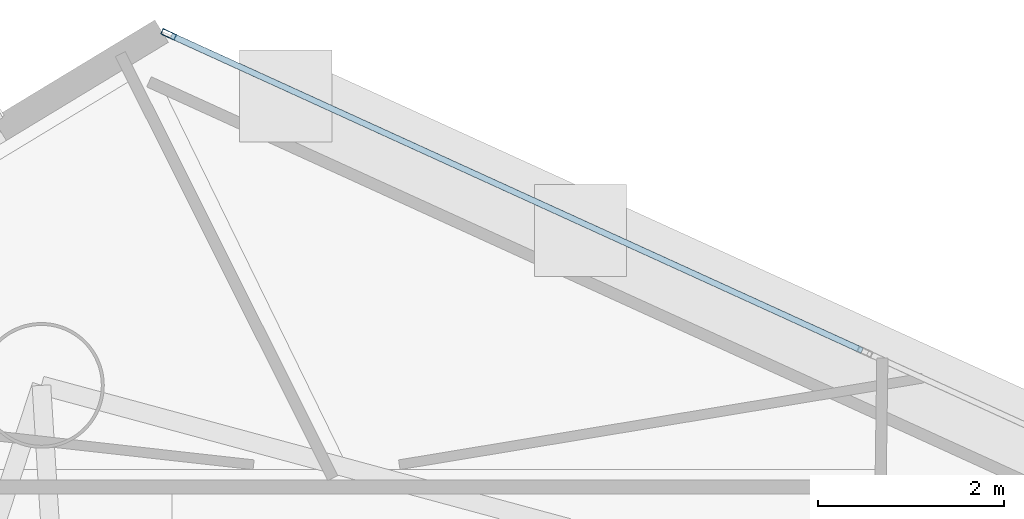
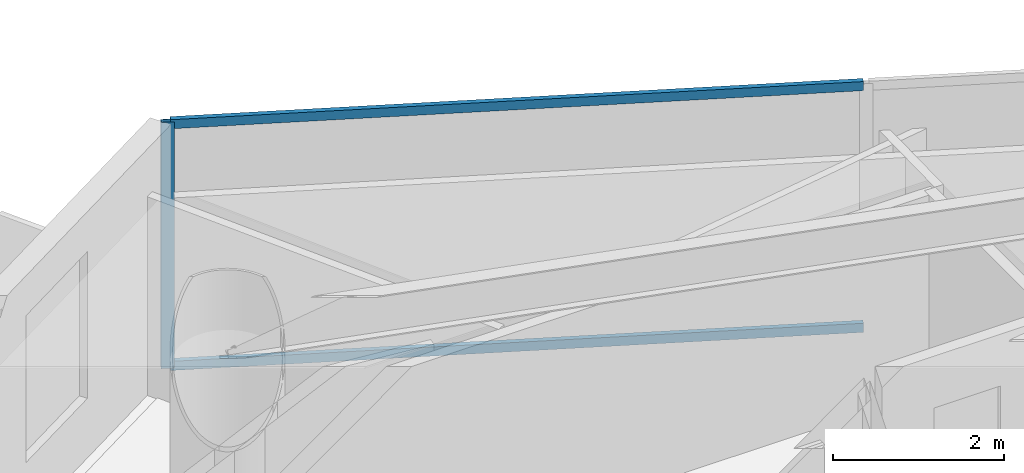
# One storey, part 16 of 23: 3 members, 1 element without a shape of its own.
"""IFC4 building model written with IfcOpenShell, lengths in metres."""

from ifc_helpers import new_model, si_unit, direction, frame, origin, origin_2d, place, context, subcontext, project, spatial, hollow_rectangle, extrude, material, layer, layer_set, material_profile, profile_set, type_object, element, aggregate, save


model = new_model("IFC4")

# Units and contexts
model_context = context("Model", 3, precision=1e-05, world=origin(), true_north=direction((0.0, 1.0)))
body_context = subcontext(model_context, "Body", "Model", "MODEL_VIEW")
ifc_project = project(units=[si_unit("LENGTHUNIT", "METRE"), si_unit("AREAUNIT", "SQUARE_METRE"), si_unit("VOLUMEUNIT", "CUBIC_METRE"), si_unit("PLANEANGLEUNIT", "RADIAN"), si_unit("MASSUNIT", "GRAM", prefix="KILO")], contexts=[model_context])

# Site, building, storey
site_placement = place(None, origin())
site = spatial("IfcSite", under=ifc_project, at=site_placement, CompositionType="ELEMENT")
building_placement = place(site_placement, origin())
building = spatial("IfcBuilding", under=site, at=building_placement, Name="Qianvela Tower", CompositionType="ELEMENT")
storey_placement = place(building_placement, frame((0.0, 0.0, 147.60009765625)))
storey = spatial("IfcBuildingStorey", under=building, at=storey_placement, Name="L37", CompositionType="ELEMENT", Elevation=147.60009765625)

# Curtain wall, members
ifc_material_1 = material(Name="Anodised Architectural Aluminium and Insulated Spandrel Panel", Category="aluminium")
ifc_layer = layer(ifc_material_1, 0.179931640625)
ifc_layer_set = layer_set([ifc_layer], Name="Anodised Architectural Aluminium and Insulated Spandrel Panel")
curtain_wall_type = type_object("IfcCurtainWallType", Name="CW-BRACEBAY", PredefinedType="USERDEFINED", material=ifc_layer_set)
curtain_wall_placement = place(storey_placement, origin())
curtain_wall = element("IfcCurtainWall", 1, at=curtain_wall_placement, inside=storey, type_object=curtain_wall_type, Name="L37 CW-BRACEBAY Curtain Wall 02B", ObjectType="CURTAIN_WALL_SYSTEM", PredefinedType="USERDEFINED")
ifc_material_2 = material(Name="Anodised Architectural Aluminium 6063-T6", Category="aluminium")
ifc_material_profile_1 = material_profile(ifc_material_2, hollow_rectangle(XDim=0.06494140625, YDim=0.159912109375, WallThickness=0.0048828125, at=origin_2d()), Name="ALU-MULL-65x160")
ifc_profile_set_1 = profile_set([ifc_material_profile_1], Name="Anodised Architectural Aluminium 6063-T6")
member_type_1 = type_object("IfcMemberType", Name="CW-BRACEBAY-MULL", PredefinedType="MULLION", material=ifc_profile_set_1)
member_1_placement = place(storey_placement, frame((29.600341796875, 43.178955078125, 0.0), z_axis=(0.0, 0.0, 1.0), x_axis=(-0.414906738251, -0.909863945078, 0.0)))
member_1 = element("IfcMember", 2, at=member_1_placement, type_object=member_type_1, Name="CW-9 mullion 3", PredefinedType="MULLION", context=body_context, shape_type="SweptSolid", body=[
    extrude(hollow_rectangle(XDim=0.06494140625, YDim=0.159912109375, WallThickness=0.0048828125, at=origin_2d()), origin(), (0.0, 0.0, 1.0), 3.52001953125),
])
ifc_material_3 = material(Name="Anodised Architectural Aluminium 6063-T6", Category="aluminium")
ifc_material_profile_2 = material_profile(ifc_material_3, hollow_rectangle(XDim=0.06494140625, YDim=0.1298828125, WallThickness=0.00439453125, at=origin_2d()), Name="ALU-TRAN-65x130")
ifc_profile_set_2 = profile_set([ifc_material_profile_2], Name="Anodised Architectural Aluminium 6063-T6")
member_type_2 = type_object("IfcMemberType", Name="CW-BRACEBAY-TRAN", PredefinedType="USERDEFINED", material=ifc_profile_set_2)
member_2_placement = place(storey_placement, frame((37.044677734375, 39.784423828125, 0.032470703125), z_axis=(-0.909869249771, 0.414895105202, 0.0), x_axis=(-0.414895105202, -0.909869249771, 0.0)))
member_2 = element("IfcMember", 3, at=member_2_placement, type_object=member_type_2, Name="CW-9 transom 2.1", ObjectType="TRANSOM", PredefinedType="USERDEFINED", context=body_context, shape_type="SweptSolid", body=[
    extrude(hollow_rectangle(XDim=0.06494140625, YDim=0.1298828125, WallThickness=0.00439453125, at=origin_2d()), origin(), (0.0, 0.0, 1.0), 8.1494140625),
])
member_3_placement = place(storey_placement, frame((37.044677734375, 39.784423828125, 3.4873046875), z_axis=(-0.909869249771, 0.414895105202, 0.0), x_axis=(-0.414895105202, -0.909869249771, 0.0)))
member_3 = element("IfcMember", 4, at=member_3_placement, type_object=member_type_2, Name="CW-9 transom 2.2", ObjectType="TRANSOM", PredefinedType="USERDEFINED", context=body_context, shape_type="SweptSolid", body=[
    extrude(hollow_rectangle(XDim=0.06494140625, YDim=0.1298828125, WallThickness=0.00439453125, at=origin_2d()), origin(), (0.0, 0.0, 1.0), 8.1494140625),
])
aggregate(curtain_wall, [member_1, member_2, member_3])

save(model, "model.ifc")
